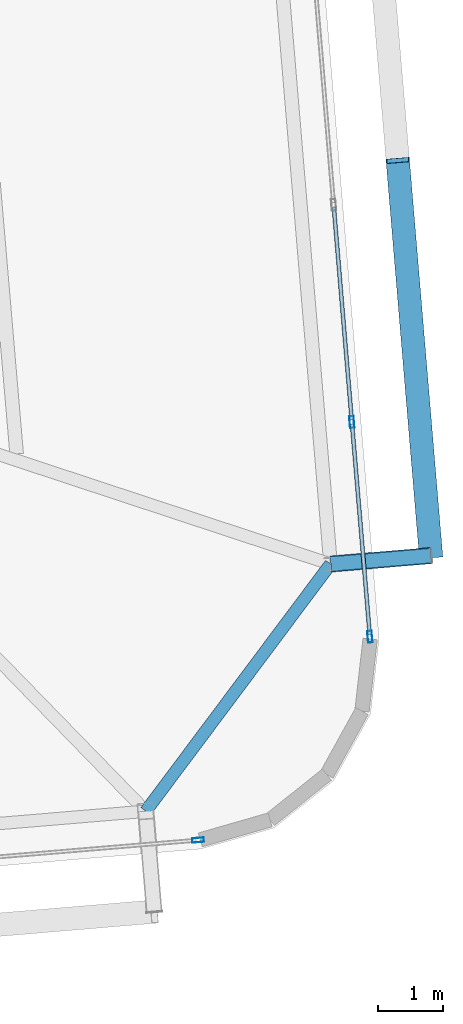
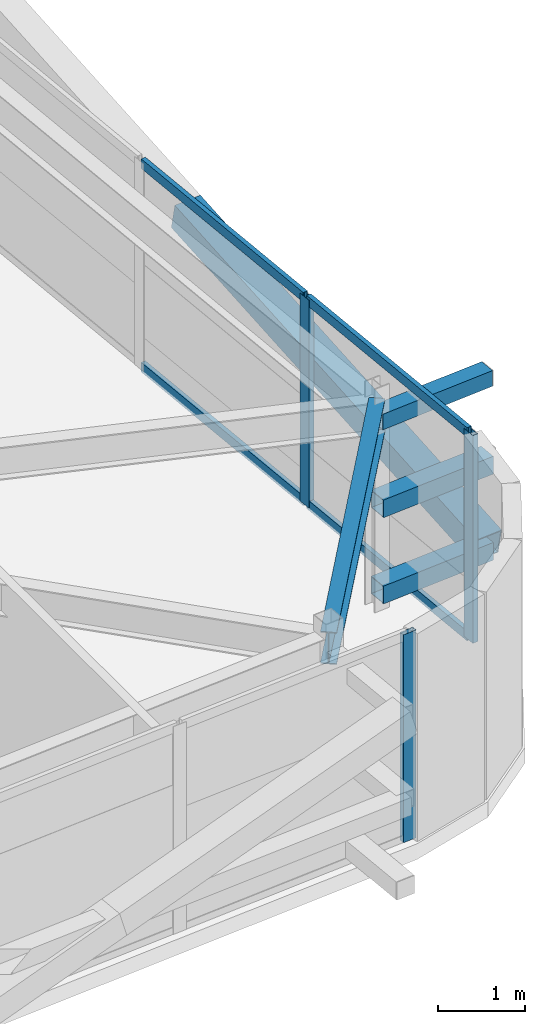
# One storey, part 22 of 46: 11 members, 1 beam, 2 elements without a shape of their own.
"""IFC4 building model written with IfcOpenShell, lengths in metres."""

import ifcopenshell
import ifcopenshell.guid

model = None  # the IFC model being written
_history = None  # IfcOwnerHistory: only IFC2X3 demands one
_inside = {}  # id of a spatial element -> (the spatial element, [elements in it])
_under = {}  # id of a project, library or spatial element -> (it, [spatial elements below it])
_declared = {}  # id of a project -> (the project, [libraries it declares])
_typed = {}  # id of a type object -> (the type object, [elements of that type])
_made_of = {}  # id of a material, layer set ... -> (it, [elements and type objects made of it])


def new_model(schema):
    """Start an empty IFC model of exactly this schema.

    Asked for "IFC4X3", IfcOpenShell would pick the latest addendum, in which some entities
    have other attributes; the version numbers below select the first issue.
    IFC2X3 requires an IfcOwnerHistory on every rooted entity: one is made here for all.
    """
    global model, _history
    if schema == "IFC4X3":
        model = ifcopenshell.file(schema_version=(4, 3, 0, 0))
    else:
        model = ifcopenshell.file(schema=schema)
    _inside.clear()
    _under.clear()
    _declared.clear()
    _typed.clear()
    _made_of.clear()
    _history = None
    if model.schema == "IFC2X3":
        org = make("IfcOrganization", Name="unknown")
        user = make(
            "IfcPersonAndOrganization",
            ThePerson=make("IfcPerson", FamilyName="unknown"),
            TheOrganization=org,
        )
        app = make(
            "IfcApplication",
            ApplicationDeveloper=org,
            Version="unknown",
            ApplicationFullName="unknown",
            ApplicationIdentifier="unknown",
        )
        _history = make(
            "IfcOwnerHistory",
            OwningUser=user,
            OwningApplication=app,
            ChangeAction="ADDED",
            CreationDate=0,
        )
    return model


def make(cls, **values):
    """One entity of the class cls with the attributes given. An attribute that is None is left unset."""
    return model.create_entity(
        cls, **{name: value for name, value in values.items() if value is not None}
    )


def rooted(cls, **values):
    """An entity with a GlobalId (a new one), such as an element, a storey or a relation."""
    return make(cls, GlobalId=ifcopenshell.guid.new(), OwnerHistory=_history, **values)


def si_unit(unit_type, name, prefix=None):
    """IfcSIUnit, for example si_unit("LENGTHUNIT", "METRE", prefix="MILLI")."""
    return make("IfcSIUnit", UnitType=unit_type, Prefix=prefix, Name=name)


def assignment(units):
    """IfcUnitAssignment: the units of a project."""
    return None if units is None else make("IfcUnitAssignment", Units=units)


def point(xyz):
    """IfcCartesianPoint."""
    return None if xyz is None else make("IfcCartesianPoint", Coordinates=xyz)


def direction(xyz):
    """IfcDirection."""
    return None if xyz is None else make("IfcDirection", DirectionRatios=xyz)


def frame(location, z_axis=None, x_axis=None):
    """IfcAxis2Placement3D, a coordinate frame: its origin and axes. An axis left out is left unset."""
    return make(
        "IfcAxis2Placement3D",
        Location=point(location),
        Axis=direction(z_axis),
        RefDirection=direction(x_axis),
    )


def frame_2d(location, x_axis=None):
    """IfcAxis2Placement2D, a coordinate frame in the plane: its origin and x axis."""
    return make(
        "IfcAxis2Placement2D", Location=point(location), RefDirection=direction(x_axis)
    )


def origin():
    """The frame at (0, 0, 0) with its axes left unset."""
    return frame((0.0, 0.0, 0.0))


def origin_2d():
    """The frame at (0, 0) in the plane with its x axis left unset."""
    return frame_2d((0.0, 0.0))


def place(relative_to, where):
    """IfcLocalPlacement: puts the frame where relative to a parent placement (None: the world)."""
    return make(
        "IfcLocalPlacement", PlacementRelTo=relative_to, RelativePlacement=where
    )


def context(
    kind, dimensions, precision=None, world=None, true_north=None, identifier=None
):
    """IfcGeometricRepresentationContext, for example the 3D "Model" context."""
    return make(
        "IfcGeometricRepresentationContext",
        ContextIdentifier=identifier,
        ContextType=kind,
        CoordinateSpaceDimension=dimensions,
        Precision=precision,
        WorldCoordinateSystem=world,
        TrueNorth=true_north,
    )


def subcontext(parent, identifier, kind, view, scale=None):
    """IfcGeometricRepresentationSubContext, for example "Body" below "Model"."""
    return make(
        "IfcGeometricRepresentationSubContext",
        ContextIdentifier=identifier,
        ContextType=kind,
        ParentContext=parent,
        TargetScale=scale,
        TargetView=view,
    )


def project(units=None, contexts=None):
    """IfcProject with its units and contexts."""
    return rooted(
        "IfcProject",
        Name="project",
        RepresentationContexts=contexts,
        UnitsInContext=assignment(units),
    )


def spatial(cls, under=None, at=None, **own):
    """A site, building, storey or space (cls), placed at a placement, below another one or the project."""
    s = rooted(cls, ObjectPlacement=at, **own)
    if under is not None:
        _under.setdefault(under.id(), (under, []))[1].append(s)
    return s


def profile(cls, at=None, kind="AREA", **sizes):
    """A parametric profile (cls). Its sizes go by their IFC names, for example OverallWidth=200.0."""
    return make(cls, ProfileType=kind, Position=at, **sizes)


def hollow_rectangle(**sizes):
    """IfcRectangleHollowProfileDef."""
    return profile("IfcRectangleHollowProfileDef", **sizes)


def i_section(**sizes):
    """IfcIShapeProfileDef."""
    return profile("IfcIShapeProfileDef", **sizes)


def extrude(swept, where, along, depth):
    """IfcExtrudedAreaSolid: the profile swept, set in the frame where, extruded along a direction by depth."""
    return make(
        "IfcExtrudedAreaSolid",
        SweptArea=swept,
        Position=where,
        ExtrudedDirection=direction(along),
        Depth=depth,
    )


def shape(context_of_items, identifier, shape_type, items):
    """IfcShapeRepresentation: the items that make up one representation, for example the "Body"."""
    return make(
        "IfcShapeRepresentation",
        ContextOfItems=context_of_items,
        RepresentationIdentifier=identifier,
        RepresentationType=shape_type,
        Items=items,
    )


def source(mapping_origin, context_of_items, identifier, shape_type, items):
    """IfcRepresentationMap: a shape defined once, which mapped items show again and again."""
    return make(
        "IfcRepresentationMap",
        MappingOrigin=mapping_origin,
        MappedRepresentation=shape(context_of_items, identifier, shape_type, items),
    )


def transform(
    local_origin,
    x_axis=None,
    y_axis=None,
    z_axis=None,
    scale=None,
    scale2=None,
    scale3=None,
    uniform=True,
):
    """IfcCartesianTransformationOperator3D, or its non-uniform kind. x_axis, y_axis, z_axis: its Axis1, 2, 3."""
    if uniform:
        return make(
            "IfcCartesianTransformationOperator3D",
            Axis1=direction(x_axis),
            Axis2=direction(y_axis),
            LocalOrigin=point(local_origin),
            Scale=scale,
            Axis3=direction(z_axis),
        )
    return make(
        "IfcCartesianTransformationOperator3DnonUniform",
        Axis1=direction(x_axis),
        Axis2=direction(y_axis),
        LocalOrigin=point(local_origin),
        Scale=scale,
        Axis3=direction(z_axis),
        Scale2=scale2,
        Scale3=scale3,
    )


def mapped(mapping_source, mapping_target):
    """IfcMappedItem: shows the shape of a source again, moved by a transform."""
    return make(
        "IfcMappedItem", MappingSource=mapping_source, MappingTarget=mapping_target
    )


def material(Name=None, Category=None):
    """IfcMaterial."""
    return make("IfcMaterial", Name=Name, Category=Category)


def layer(
    of_material, thickness, ventilated=None, Name=None, Category=None, Priority=None
):
    """IfcMaterialLayer: one layer of a wall or slab, of a material (None: an air gap)."""
    return make(
        "IfcMaterialLayer",
        Material=of_material,
        LayerThickness=thickness,
        IsVentilated=ventilated,
        Name=Name,
        Category=Category,
        Priority=Priority,
    )


def layer_set(layers, Name=None):
    """IfcMaterialLayerSet."""
    return make("IfcMaterialLayerSet", MaterialLayers=layers, LayerSetName=Name)


def material_profile(
    of_material, cross_section, Name=None, Category=None, Priority=None
):
    """IfcMaterialProfile: a cross section and its material."""
    return make(
        "IfcMaterialProfile",
        Name=Name,
        Material=of_material,
        Profile=cross_section,
        Priority=Priority,
        Category=Category,
    )


def profile_set(profiles, Name=None, composite=None):
    """IfcMaterialProfileSet."""
    return make(
        "IfcMaterialProfileSet",
        Name=Name,
        MaterialProfiles=profiles,
        CompositeProfile=composite,
    )


def made_of(thing, what):
    """Note that an element or type object is made of a material, layer set ...; save() writes the relation."""
    if what is not None:
        _made_of.setdefault(what.id(), (what, []))[1].append(thing)
    return thing


def type_object(cls, material=None, **own):
    """A type object (cls), such as IfcWallType, which elements share."""
    return made_of(rooted(cls, **own), material)


def element(
    cls,
    number,
    at=None,
    inside=None,
    cuts=None,
    type_object=None,
    material=None,
    context=None,
    identifier="Body",
    shape_type=None,
    held_by="IfcProductDefinitionShape",
    body=None,
    shapes=None,
    **own,
):
    """One element of the class cls, such as IfcWall. Its Tag is "e" and its number.

    at: its placement. inside: the storey or other place that contains it. cuts: it is an
    opening in that element (IfcRelVoidsElement). A single representation is given by context,
    identifier, shape_type and body (its items); several are given by shapes. held_by: the class
    of the entity that holds the representations. save() writes the other relations.
    """
    e = rooted(cls, Tag="e%d" % number, ObjectPlacement=at, **own)
    if body is not None:
        shapes = [shape(context, identifier, shape_type, body)]
    if shapes is not None:
        e.Representation = make(held_by, Representations=shapes)
    if inside is not None:
        _inside.setdefault(inside.id(), (inside, []))[1].append(e)
    if cuts is not None:
        rooted(
            "IfcRelVoidsElement", RelatingBuildingElement=cuts, RelatedOpeningElement=e
        )
    if type_object is not None:
        _typed.setdefault(type_object.id(), (type_object, []))[1].append(e)
    return made_of(e, material)


def aggregate(whole, parts):
    """IfcRelAggregates: a whole, such as a stair, and the parts it consists of."""
    return rooted("IfcRelAggregates", RelatingObject=whole, RelatedObjects=parts)


def save(model, path):
    """Write the relations noted so far, then the file.

    IfcRelAggregates (storeys below a building ...), IfcRelContainedInSpatialStructure (elements
    in a storey), IfcRelDefinesByType, IfcRelAssociatesMaterial and IfcRelDeclares: one each for
    every whole, place, type object, material and project.
    """
    for whole, parts in _under.values():
        aggregate(whole, parts)
    for where, things in _inside.values():
        rooted(
            "IfcRelContainedInSpatialStructure",
            RelatedElements=things,
            RelatingStructure=where,
        )
    for kind, things in _typed.values():
        rooted("IfcRelDefinesByType", RelatedObjects=things, RelatingType=kind)
    for what, things in _made_of.values():
        rooted("IfcRelAssociatesMaterial", RelatedObjects=things, RelatingMaterial=what)
    for by, libraries in _declared.values():
        rooted("IfcRelDeclares", RelatingContext=by, RelatedDefinitions=libraries)
    model.write(path)


model = new_model("IFC4")

# Units and contexts
model_context = context("Model", 3, precision=1e-05, world=origin(), true_north=direction((0.0, 1.0)))
body_context = subcontext(model_context, "Body", "Model", "MODEL_VIEW")
ifc_project = project(units=[si_unit("LENGTHUNIT", "METRE"), si_unit("AREAUNIT", "SQUARE_METRE"), si_unit("VOLUMEUNIT", "CUBIC_METRE"), si_unit("PLANEANGLEUNIT", "RADIAN"), si_unit("MASSUNIT", "GRAM", prefix="KILO")], contexts=[model_context])

# Site, building, storey
site_placement = place(None, origin())
site = spatial("IfcSite", under=ifc_project, at=site_placement, CompositionType="ELEMENT")
building_placement = place(site_placement, origin())
building = spatial("IfcBuilding", under=site, at=building_placement, Name="Taldren Reach Tower", CompositionType="ELEMENT")
storey_placement = place(building_placement, frame((0.0, 0.0, 185.14990234375)))
storey = spatial("IfcBuildingStorey", under=building, at=storey_placement, Name="L56", CompositionType="ELEMENT", Elevation=185.14990234375)

# Beam
ifc_material_1 = material(Name="Steel Gr 350 (350PLUS)", Category="steel")
ifc_material_profile_1 = material_profile(ifc_material_1, i_section(OverallWidth=0.18994140625, OverallDepth=0.4541015625, WebThickness=0.008544921875, FlangeThickness=0.0126953125, at=origin_2d()), Name="460UB67.1")
ifc_profile_set_1 = profile_set([ifc_material_profile_1], Name="Steel Gr 350 (350PLUS)")
beam_type = type_object("IfcBeamType", Name="SP-UB460B", PredefinedType="SPANDREL", material=ifc_profile_set_1)
shared_shape_1 = source(origin(), body_context, "Body", "SweptSolid", [
    extrude(i_section(OverallWidth=0.18994140625, OverallDepth=0.4541015625, WebThickness=0.008544921875, FlangeThickness=0.0126953125, at=origin_2d()), origin(), (0.0, 0.0, 1.0), 4.746337890625),
])
beam_placement = place(storey_placement, frame((58.796142578125, 5.516357421875, 2.703125), z_axis=(0.598797715541, 0.800900303323, 0.0), x_axis=(-0.800900303323, 0.598797715541, 0.0)))
element("IfcBeam", 1, at=beam_placement, inside=storey, type_object=beam_type, Name="Perimeter spandrel B4 S6-E1 L56", PredefinedType="SPANDREL", context=body_context, shape_type="MappedRepresentation", body=[
    mapped(shared_shape_1, transform((0.0, 0.0, 0.0), scale=1.0)),
])

# Members
ifc_material_2 = material(Name="Steel Gr 450 (C450L0)", Category="steel")
ifc_material_profile_2 = material_profile(ifc_material_2, hollow_rectangle(XDim=0.219970703125, YDim=0.219970703125, WallThickness=0.00830078125, at=origin_2d()), Name="220x220x8.2SHS")
ifc_profile_set_2 = profile_set([ifc_material_profile_2], Name="Steel Gr 450 (C450L0)")
member_type_1 = type_object("IfcMemberType", Name="MB-TIE219", PredefinedType="STRUT", material=ifc_profile_set_2)
shared_shape_2 = source(origin(), body_context, "Body", "SweptSolid", [
    extrude(hollow_rectangle(XDim=0.219970703125, YDim=0.219970703125, WallThickness=0.00830078125, at=origin_2d()), origin(), (0.0, 0.0, 1.0), 1.545166015625),
])
member_1_placement = place(storey_placement, frame((61.642822265625, 9.31787109375, 2.650146484375), z_axis=(0.996487766615, 0.083738467783, 0.0), x_axis=(-0.083738467783, 0.996487766615, 0.0)))
element("IfcMember", 2, at=member_1_placement, inside=storey, type_object=member_type_1, Name="Exoskeleton diaphragm tie strut B4-E1 L56", PredefinedType="STRUT", context=body_context, shape_type="MappedRepresentation", body=[
    mapped(shared_shape_2, transform((0.0, 0.0, 0.0), scale=1.0)),
])
ifc_material_3 = material(Name="Steel Gr 350 (C350L0)", Category="steel")
ifc_material_profile_3 = material_profile(ifc_material_3, hollow_rectangle(XDim=0.25, YDim=0.25, WallThickness=0.010009765625, at=origin_2d()), Name="250x250x10.0SHS")
ifc_profile_set_3 = profile_set([ifc_material_profile_3], Name="Steel Gr 350 (C350L0)")
member_type_2 = type_object("IfcMemberType", Name="MB-POST250", PredefinedType="POST", material=ifc_profile_set_3)
shared_shape_3 = source(origin(), body_context, "Body", "SweptSolid", [
    extrude(hollow_rectangle(XDim=0.25, YDim=0.25, WallThickness=0.010009765625, at=origin_2d()), origin(), (0.0, 0.0, 1.0), 1.545166015625),
])
for number, where, z_axis, x_axis, name in (
    (3, (61.642822265625, 9.31787109375, 0.22021484375), (0.996487766615, 0.083738467783, 0.0), (-0.083738467783, 0.996487766615, 0.0), "Exoskeleton base diaphragm tie strut B4-E1 L56"),
    (4, (61.642822265625, 9.31787109375, 1.43505859375), (0.996487766615, 0.083738467783, 0.0), (-0.083738467783, 0.996487766615, 0.0), "Exoskeleton mid-tier diaphragm tie B4-E1 L56"),
):
    element("IfcMember", number, at=place(storey_placement, frame(where, z_axis=z_axis, x_axis=x_axis)), inside=storey, type_object=member_type_2, Name=name, PredefinedType="POST", context=body_context, shape_type="MappedRepresentation", body=[
        mapped(shared_shape_3, transform((0.0, 0.0, 0.0), scale=1.0)),
    ])
ifc_material_profile_4 = material_profile(ifc_material_2, hollow_rectangle(XDim=0.360107421875, YDim=0.360107421875, WallThickness=0.0126953125, at=origin_2d()), Name="360x360x12.7SHS")
ifc_profile_set_4 = profile_set([ifc_material_profile_4], Name="Steel Gr 450 (C450L0)")
member_type_3 = type_object("IfcMemberType", Name="MB-EXO356", PredefinedType="BRACE", material=ifc_profile_set_4)
shared_shape_4 = source(origin(), body_context, "Body", "SweptSolid", [
    extrude(hollow_rectangle(XDim=0.360107421875, YDim=0.360107421875, WallThickness=0.0126953125, at=origin_2d()), origin(), (0.0, 0.0, 1.0), 6.2197265625),
])
member_2_placement = place(storey_placement, frame((63.1826171875, 9.447265625, 0.22021484375), z_axis=(-0.082076194186, 0.977299417909, 0.19531857593), x_axis=(-0.996492003099, -0.083688038336, 0.0)))
element("IfcMember", 5, at=member_2_placement, inside=storey, type_object=member_type_3, Name="Exoskeleton Diagrid Brace B4-E1 L56", PredefinedType="BRACE", context=body_context, shape_type="MappedRepresentation", body=[
    mapped(shared_shape_4, transform((0.0, 0.0, 0.0), scale=1.0)),
])

# Curtain wall, member
ifc_material_4 = material(Name="Aluminium and Low-E Glass Unitised System", Category="aluminium")
ifc_layer = layer(ifc_material_4, 0.159912109375)
ifc_layer_set = layer_set([ifc_layer], Name="Aluminium and Low-E Glass Unitised System")
curtain_wall_type = type_object("IfcCurtainWallType", Name="CW-SYS-5", PredefinedType="NOTDEFINED", material=ifc_layer_set)
curtain_wall_1_placement = place(storey_placement, origin())
curtain_wall_1 = element("IfcCurtainWall", 6, at=curtain_wall_1_placement, inside=storey, type_object=curtain_wall_type, Name="Unitised curtain wall CW-L56-S", PredefinedType="NOTDEFINED")
ifc_material_5 = material(Name="Anodised Aluminium 6063-T6", Category="aluminium")
ifc_material_profile_5 = material_profile(ifc_material_5, hollow_rectangle(XDim=0.070068359375, YDim=0.179931640625, WallThickness=0.00390625, at=origin_2d()), Name="ALU-180x70x4RHS")
ifc_profile_set_5 = profile_set([ifc_material_profile_5], Name="Anodised Aluminium 6063-T6")
member_type_4 = type_object("IfcMemberType", Name="CW-MUL-180", PredefinedType="MULLION", material=ifc_profile_set_5)
shared_shape_5 = source(origin(), body_context, "Body", "SweptSolid", [
    extrude(hollow_rectangle(XDim=0.070068359375, YDim=0.179931640625, WallThickness=0.00390625, at=origin_2d()), origin(), (0.0, 0.0, 1.0), 2.93017578125),
])
member_3_placement = place(storey_placement, frame((59.60107421875, 5.072265625, 0.0), z_axis=(0.0, 0.0, 1.0), x_axis=(-0.083677894865, 0.996492854922, 0.0)))
member_3 = element("IfcMember", 7, at=member_3_placement, type_object=member_type_4, Name="CW-5 mullion 14", PredefinedType="MULLION", context=body_context, shape_type="MappedRepresentation", body=[
    mapped(shared_shape_5, transform((0.0, 0.0, 0.0), scale=1.0)),
])
aggregate(curtain_wall_1, [member_3])

# Curtain wall, members
curtain_wall_2_placement = place(storey_placement, origin())
curtain_wall_2 = element("IfcCurtainWall", 8, at=curtain_wall_2_placement, inside=storey, type_object=curtain_wall_type, Name="Unitised curtain wall CW-L56-E", PredefinedType="NOTDEFINED")
member_4_placement = place(storey_placement, frame((62.243896484375, 8.199462890625, 0.0), z_axis=(0.0, 0.0, 1.0), x_axis=(-0.996492847789, -0.083677979808, 0.0)))
member_4 = element("IfcMember", 9, at=member_4_placement, type_object=member_type_4, Name="CW-5 mullion 1", PredefinedType="MULLION", context=body_context, shape_type="MappedRepresentation", body=[
    mapped(shared_shape_5, transform((0.0, 0.0, 0.0), scale=1.0)),
])
member_5_placement = place(storey_placement, frame((61.96630859375, 11.502685546875, 0.0), z_axis=(0.0, 0.0, 1.0), x_axis=(-0.996492847789, -0.083677979808, 0.0)))
member_5 = element("IfcMember", 10, at=member_5_placement, type_object=member_type_4, Name="CW-5 mullion 2", PredefinedType="MULLION", context=body_context, shape_type="MappedRepresentation", body=[
    mapped(shared_shape_5, transform((0.0, 0.0, 0.0), scale=1.0)),
])
ifc_material_profile_6 = material_profile(ifc_material_5, hollow_rectangle(XDim=0.06005859375, YDim=0.135009765625, WallThickness=0.00341796875, at=origin_2d()), Name="ALU-135x60x3.5RHS")
ifc_profile_set_6 = profile_set([ifc_material_profile_6], Name="Anodised Aluminium 6063-T6")
member_type_5 = type_object("IfcMemberType", Name="CW-TRN-150", PredefinedType="USERDEFINED", material=ifc_profile_set_6)
shared_shape_6 = source(origin(), body_context, "Body", "SweptSolid", [
    extrude(hollow_rectangle(XDim=0.06005859375, YDim=0.135009765625, WallThickness=0.00341796875, at=origin_2d()), origin(), (0.0, 0.0, 1.0), 3.2451171875),
])
member_6_placement = place(storey_placement, frame((62.240966796875, 8.234130859375, 0.030029296875), z_axis=(-0.083736584401, 0.996487924881, 0.0), x_axis=(-0.996487924881, -0.083736584401, 0.0)))
member_6 = element("IfcMember", 11, at=member_6_placement, type_object=member_type_5, Name="CW-5 transom 1.1", ObjectType="TRANSOM", PredefinedType="USERDEFINED", context=body_context, shape_type="MappedRepresentation", body=[
    mapped(shared_shape_6, transform((0.0, 0.0, 0.0), scale=1.0)),
])
member_7_placement = place(storey_placement, frame((62.240966796875, 8.234130859375, 2.900146484375), z_axis=(-0.083736584401, 0.996487924881, 0.0), x_axis=(-0.996487924881, -0.083736584401, 0.0)))
member_7 = element("IfcMember", 12, at=member_7_placement, type_object=member_type_5, Name="CW-5 transom 1.2", ObjectType="TRANSOM", PredefinedType="USERDEFINED", context=body_context, shape_type="MappedRepresentation", body=[
    mapped(shared_shape_6, transform((0.0, 0.0, 0.0), scale=1.0)),
])
shared_shape_7 = source(origin(), body_context, "Body", "SweptSolid", [
    extrude(hollow_rectangle(XDim=0.06005859375, YDim=0.135009765625, WallThickness=0.00341796875, at=origin_2d()), origin(), (0.0, 0.0, 1.0), 3.280029296875),
])
member_8_placement = place(storey_placement, frame((61.96337890625, 11.53759765625, 0.030029296875), z_axis=(-0.083661452101, 0.996494235524, 0.0), x_axis=(-0.996494235524, -0.083661452101, 0.0)))
member_8 = element("IfcMember", 13, at=member_8_placement, type_object=member_type_5, Name="CW-5 transom 2.1", ObjectType="TRANSOM", PredefinedType="USERDEFINED", context=body_context, shape_type="MappedRepresentation", body=[
    mapped(shared_shape_7, transform((0.0, 0.0, 0.0), scale=1.0)),
])
member_9_placement = place(storey_placement, frame((61.96337890625, 11.53759765625, 2.900146484375), z_axis=(-0.083661452101, 0.996494235524, 0.0), x_axis=(-0.996494235524, -0.083661452101, 0.0)))
member_9 = element("IfcMember", 14, at=member_9_placement, type_object=member_type_5, Name="CW-5 transom 2.2", ObjectType="TRANSOM", PredefinedType="USERDEFINED", context=body_context, shape_type="MappedRepresentation", body=[
    mapped(shared_shape_7, transform((0.0, 0.0, 0.0), scale=1.0)),
])
aggregate(curtain_wall_2, [member_4, member_5, member_6, member_7, member_8, member_9])

save(model, "model.ifc")
